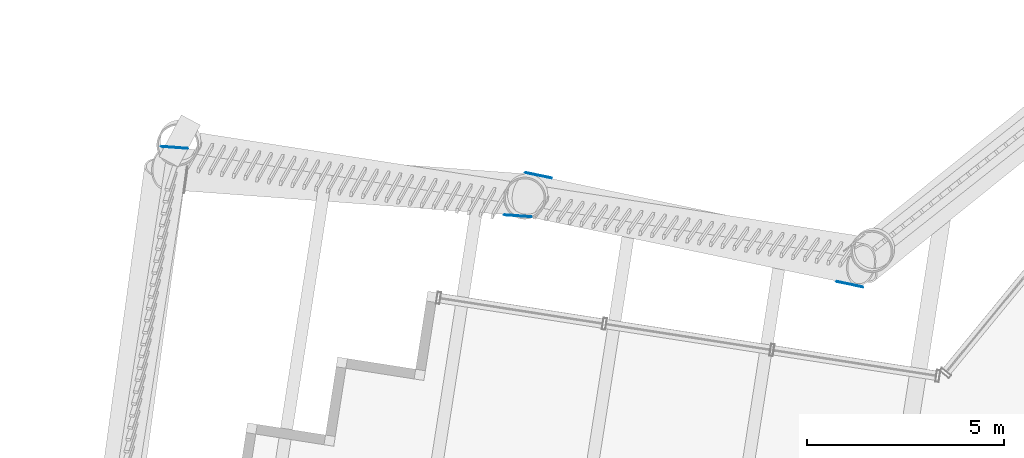
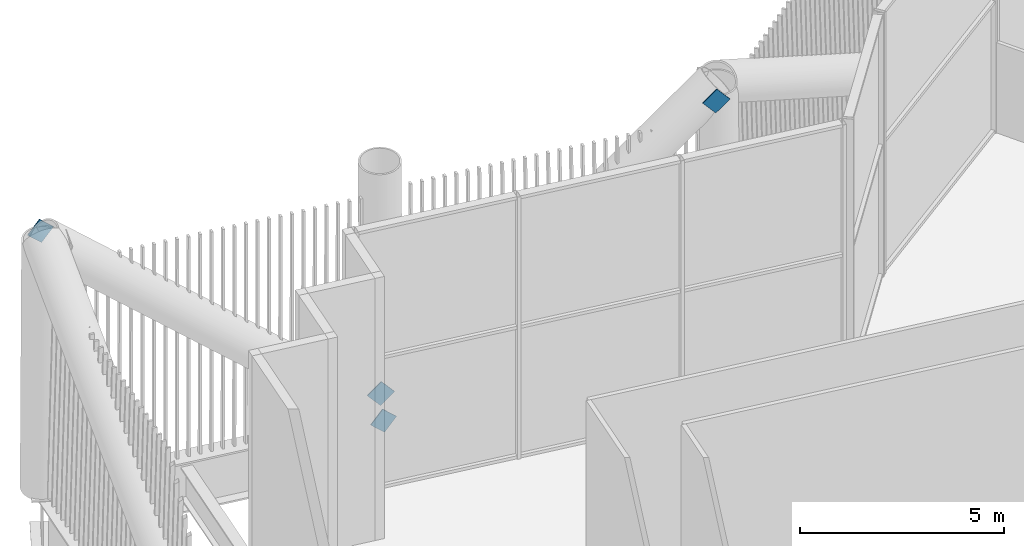
# One storey, part 36 of 55: 4 discrete accessories.
"""IFC4 building model written with IfcOpenShell, lengths in metres."""

from ifc_helpers import new_model, si_unit, direction, frame, origin, origin_2d, place, context, subcontext, project, spatial, rectangle, extrude, material, material_profile, profile_set, type_object, element, save


model = new_model("IFC4")

# Units and contexts
model_context = context("Model", 3, precision=1e-05, world=origin(), true_north=direction((0.0, 1.0)))
body_context = subcontext(model_context, "Body", "Model", "MODEL_VIEW")
ifc_project = project(units=[si_unit("LENGTHUNIT", "METRE"), si_unit("AREAUNIT", "SQUARE_METRE"), si_unit("VOLUMEUNIT", "CUBIC_METRE"), si_unit("PLANEANGLEUNIT", "RADIAN"), si_unit("MASSUNIT", "GRAM", prefix="KILO")], contexts=[model_context])

# Site, building, storey
site_placement = place(None, origin())
site = spatial("IfcSite", under=ifc_project, at=site_placement, CompositionType="ELEMENT")
building_placement = place(site_placement, origin())
building = spatial("IfcBuilding", under=site, at=building_placement, Name="Tarsis Ring Headquarters", CompositionType="ELEMENT")
storey_placement = place(building_placement, frame((0.0, 0.0, 247.199951171875)))
storey = spatial("IfcBuildingStorey", under=building, at=storey_placement, Name="L58", CompositionType="ELEMENT", Elevation=247.199951171875)

# Discrete accessories
ifc_material = material(Name="Structural steel S355", Category="steel")
ifc_material_profile = material_profile(ifc_material, rectangle(XDim=0.02490234375, YDim=0.5, at=origin_2d()), Name="PL 25x500")
ifc_profile_set = profile_set([ifc_material_profile], Name="Structural steel S355")
discrete_accessory_type = type_object("IfcDiscreteAccessoryType", Name="Gusset plate Belt truss 25", PredefinedType="BRACKET", material=ifc_profile_set)
for number, where, z_axis, x_axis, name in (
    (1, (-31.095458984375, 20.3896484375, 0.0), (0.719086226927, -0.149870652863, 0.678567451072), (0.204033873392, 0.978963829009, 0.0), "Gusset plate GP4"),
    (2, (-22.841796875, 17.552734375, 8.0), (-0.719086226927, 0.149870652863, -0.678567451072), (-0.204033873392, -0.978963829009, 0.0), "Gusset plate GP4"),
    (3, (-31.246826171875, 19.310791015625, 0.0), (-0.752034710492, 0.055181767718, 0.656809536111), (-0.073179882881, -0.997318757841, 0.0), "Gusset plate GP4"),
):
    element("IfcDiscreteAccessory", number, at=place(storey_placement, frame(where, z_axis=z_axis, x_axis=x_axis)), inside=storey, type_object=discrete_accessory_type, Name=name, PredefinedType="BRACKET", context=body_context, shape_type="SweptSolid", body=[
        extrude(rectangle(XDim=0.02490234375, YDim=0.5, at=origin_2d()), origin(), (0.0, 0.0, 1.0), 0.5),
    ])
discrete_accessory_placement = place(storey_placement, frame((-40.326904296875, 21.072509765625, 8.0), z_axis=(0.752246747444, -0.055161507113, -0.656568381124), x_axis=(0.073132648382, 0.997322222624, 0.0)))
element("IfcDiscreteAccessory", 4, at=discrete_accessory_placement, inside=storey, type_object=discrete_accessory_type, Name="Gusset plate GP4", PredefinedType="BRACKET", context=body_context, shape_type="SweptSolid", body=[
    extrude(rectangle(XDim=0.02490234375, YDim=0.5, at=origin_2d()), origin(), (0.0, 0.0, 1.0), 0.500244140625),
])

save(model, "model.ifc")
